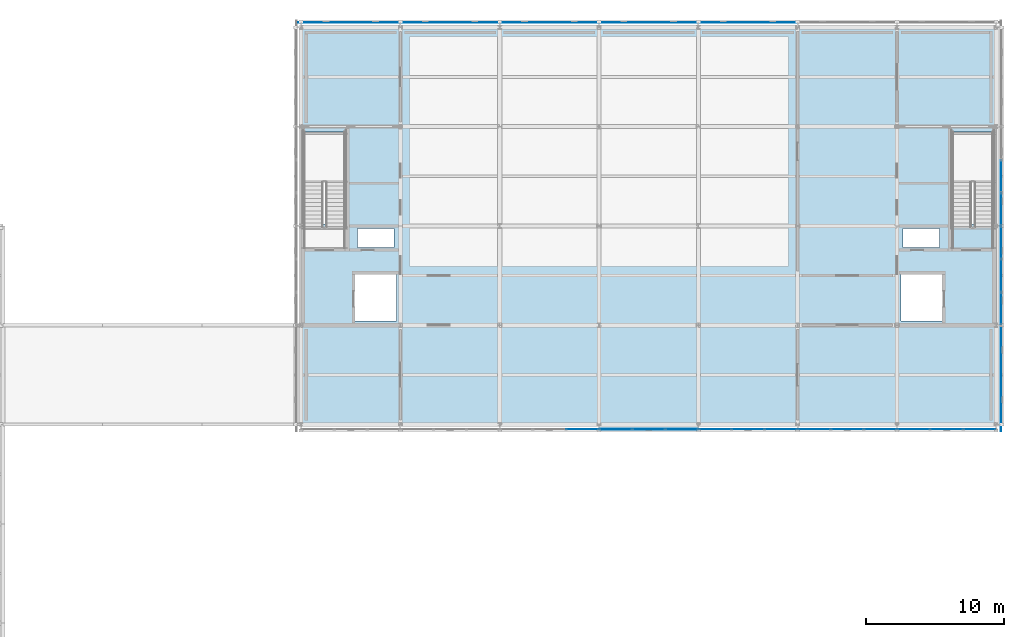
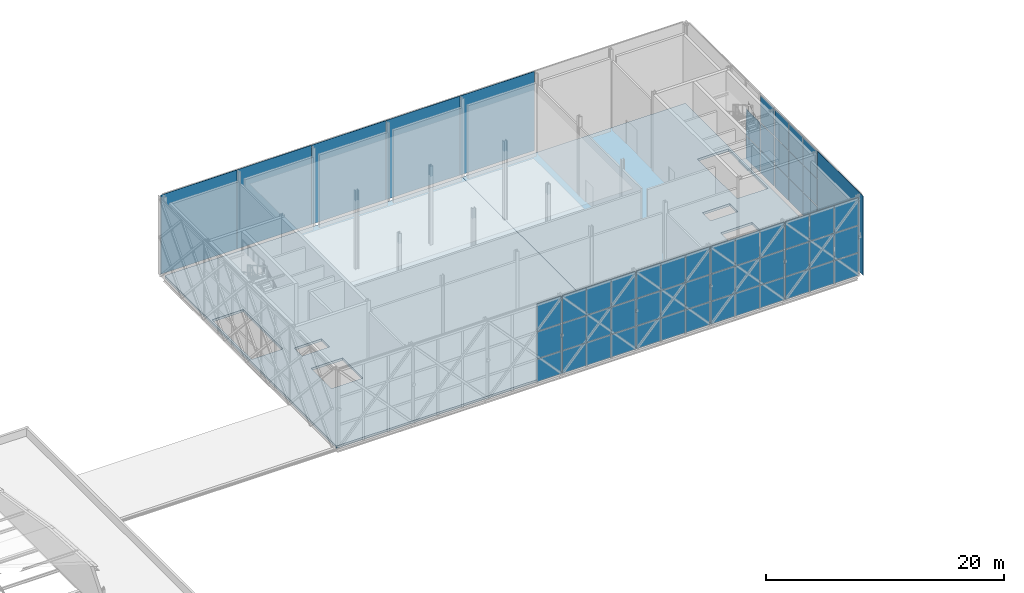
# One storey, part 57 of 76: 59 plates, 3 slabs, 8 elements without a shape of their own.
"""IFC4 building model written with IfcOpenShell, lengths in metres."""

import ifcopenshell
import ifcopenshell.guid

model = None  # the IFC model being written
_history = None  # IfcOwnerHistory: only IFC2X3 demands one
_inside = {}  # id of a spatial element -> (the spatial element, [elements in it])
_under = {}  # id of a project, library or spatial element -> (it, [spatial elements below it])
_declared = {}  # id of a project -> (the project, [libraries it declares])
_typed = {}  # id of a type object -> (the type object, [elements of that type])
_made_of = {}  # id of a material, layer set ... -> (it, [elements and type objects made of it])


def new_model(schema):
    """Start an empty IFC model of exactly this schema.

    Asked for "IFC4X3", IfcOpenShell would pick the latest addendum, in which some entities
    have other attributes; the version numbers below select the first issue.
    IFC2X3 requires an IfcOwnerHistory on every rooted entity: one is made here for all.
    """
    global model, _history
    if schema == "IFC4X3":
        model = ifcopenshell.file(schema_version=(4, 3, 0, 0))
    else:
        model = ifcopenshell.file(schema=schema)
    _inside.clear()
    _under.clear()
    _declared.clear()
    _typed.clear()
    _made_of.clear()
    _history = None
    if model.schema == "IFC2X3":
        org = make("IfcOrganization", Name="unknown")
        user = make(
            "IfcPersonAndOrganization",
            ThePerson=make("IfcPerson", FamilyName="unknown"),
            TheOrganization=org,
        )
        app = make(
            "IfcApplication",
            ApplicationDeveloper=org,
            Version="unknown",
            ApplicationFullName="unknown",
            ApplicationIdentifier="unknown",
        )
        _history = make(
            "IfcOwnerHistory",
            OwningUser=user,
            OwningApplication=app,
            ChangeAction="ADDED",
            CreationDate=0,
        )
    return model


def make(cls, **values):
    """One entity of the class cls with the attributes given. An attribute that is None is left unset."""
    return model.create_entity(
        cls, **{name: value for name, value in values.items() if value is not None}
    )


def rooted(cls, **values):
    """An entity with a GlobalId (a new one), such as an element, a storey or a relation."""
    return make(cls, GlobalId=ifcopenshell.guid.new(), OwnerHistory=_history, **values)


def si_unit(unit_type, name, prefix=None):
    """IfcSIUnit, for example si_unit("LENGTHUNIT", "METRE", prefix="MILLI")."""
    return make("IfcSIUnit", UnitType=unit_type, Prefix=prefix, Name=name)


def assignment(units):
    """IfcUnitAssignment: the units of a project."""
    return None if units is None else make("IfcUnitAssignment", Units=units)


def point(xyz):
    """IfcCartesianPoint."""
    return None if xyz is None else make("IfcCartesianPoint", Coordinates=xyz)


def direction(xyz):
    """IfcDirection."""
    return None if xyz is None else make("IfcDirection", DirectionRatios=xyz)


def frame(location, z_axis=None, x_axis=None):
    """IfcAxis2Placement3D, a coordinate frame: its origin and axes. An axis left out is left unset."""
    return make(
        "IfcAxis2Placement3D",
        Location=point(location),
        Axis=direction(z_axis),
        RefDirection=direction(x_axis),
    )


def frame_2d(location, x_axis=None):
    """IfcAxis2Placement2D, a coordinate frame in the plane: its origin and x axis."""
    return make(
        "IfcAxis2Placement2D", Location=point(location), RefDirection=direction(x_axis)
    )


def origin():
    """The frame at (0, 0, 0) with its axes left unset."""
    return frame((0.0, 0.0, 0.0))


def origin_2d():
    """The frame at (0, 0) in the plane with its x axis left unset."""
    return frame_2d((0.0, 0.0))


def place(relative_to, where):
    """IfcLocalPlacement: puts the frame where relative to a parent placement (None: the world)."""
    return make(
        "IfcLocalPlacement", PlacementRelTo=relative_to, RelativePlacement=where
    )


def context(
    kind, dimensions, precision=None, world=None, true_north=None, identifier=None
):
    """IfcGeometricRepresentationContext, for example the 3D "Model" context."""
    return make(
        "IfcGeometricRepresentationContext",
        ContextIdentifier=identifier,
        ContextType=kind,
        CoordinateSpaceDimension=dimensions,
        Precision=precision,
        WorldCoordinateSystem=world,
        TrueNorth=true_north,
    )


def subcontext(parent, identifier, kind, view, scale=None):
    """IfcGeometricRepresentationSubContext, for example "Body" below "Model"."""
    return make(
        "IfcGeometricRepresentationSubContext",
        ContextIdentifier=identifier,
        ContextType=kind,
        ParentContext=parent,
        TargetScale=scale,
        TargetView=view,
    )


def project(units=None, contexts=None):
    """IfcProject with its units and contexts."""
    return rooted(
        "IfcProject",
        Name="project",
        RepresentationContexts=contexts,
        UnitsInContext=assignment(units),
    )


def spatial(cls, under=None, at=None, **own):
    """A site, building, storey or space (cls), placed at a placement, below another one or the project."""
    s = rooted(cls, ObjectPlacement=at, **own)
    if under is not None:
        _under.setdefault(under.id(), (under, []))[1].append(s)
    return s


def polyline(points):
    """IfcPolyline through the points."""
    return make("IfcPolyline", Points=[point(p) for p in points])


def profile(cls, at=None, kind="AREA", **sizes):
    """A parametric profile (cls). Its sizes go by their IFC names, for example OverallWidth=200.0."""
    return make(cls, ProfileType=kind, Position=at, **sizes)


def rectangle(**sizes):
    """IfcRectangleProfileDef."""
    return profile("IfcRectangleProfileDef", **sizes)


def outline(outer, holes=None, kind="AREA"):
    """IfcArbitraryClosedProfileDef: a profile drawn as a closed curve; with holes, ...WithVoids."""
    if holes is None:
        return make("IfcArbitraryClosedProfileDef", ProfileType=kind, OuterCurve=outer)
    return make(
        "IfcArbitraryProfileDefWithVoids",
        ProfileType=kind,
        OuterCurve=outer,
        InnerCurves=holes,
    )


def extrude(swept, where, along, depth):
    """IfcExtrudedAreaSolid: the profile swept, set in the frame where, extruded along a direction by depth."""
    return make(
        "IfcExtrudedAreaSolid",
        SweptArea=swept,
        Position=where,
        ExtrudedDirection=direction(along),
        Depth=depth,
    )


def shape(context_of_items, identifier, shape_type, items):
    """IfcShapeRepresentation: the items that make up one representation, for example the "Body"."""
    return make(
        "IfcShapeRepresentation",
        ContextOfItems=context_of_items,
        RepresentationIdentifier=identifier,
        RepresentationType=shape_type,
        Items=items,
    )


def material(Name=None, Category=None):
    """IfcMaterial."""
    return make("IfcMaterial", Name=Name, Category=Category)


def layer(
    of_material, thickness, ventilated=None, Name=None, Category=None, Priority=None
):
    """IfcMaterialLayer: one layer of a wall or slab, of a material (None: an air gap)."""
    return make(
        "IfcMaterialLayer",
        Material=of_material,
        LayerThickness=thickness,
        IsVentilated=ventilated,
        Name=Name,
        Category=Category,
        Priority=Priority,
    )


def layer_set(layers, Name=None):
    """IfcMaterialLayerSet."""
    return make("IfcMaterialLayerSet", MaterialLayers=layers, LayerSetName=Name)


def made_of(thing, what):
    """Note that an element or type object is made of a material, layer set ...; save() writes the relation."""
    if what is not None:
        _made_of.setdefault(what.id(), (what, []))[1].append(thing)
    return thing


def type_object(cls, material=None, **own):
    """A type object (cls), such as IfcWallType, which elements share."""
    return made_of(rooted(cls, **own), material)


def element(
    cls,
    number,
    at=None,
    inside=None,
    cuts=None,
    type_object=None,
    material=None,
    context=None,
    identifier="Body",
    shape_type=None,
    held_by="IfcProductDefinitionShape",
    body=None,
    shapes=None,
    **own,
):
    """One element of the class cls, such as IfcWall. Its Tag is "e" and its number.

    at: its placement. inside: the storey or other place that contains it. cuts: it is an
    opening in that element (IfcRelVoidsElement). A single representation is given by context,
    identifier, shape_type and body (its items); several are given by shapes. held_by: the class
    of the entity that holds the representations. save() writes the other relations.
    """
    e = rooted(cls, Tag="e%d" % number, ObjectPlacement=at, **own)
    if body is not None:
        shapes = [shape(context, identifier, shape_type, body)]
    if shapes is not None:
        e.Representation = make(held_by, Representations=shapes)
    if inside is not None:
        _inside.setdefault(inside.id(), (inside, []))[1].append(e)
    if cuts is not None:
        rooted(
            "IfcRelVoidsElement", RelatingBuildingElement=cuts, RelatedOpeningElement=e
        )
    if type_object is not None:
        _typed.setdefault(type_object.id(), (type_object, []))[1].append(e)
    return made_of(e, material)


def aggregate(whole, parts):
    """IfcRelAggregates: a whole, such as a stair, and the parts it consists of."""
    return rooted("IfcRelAggregates", RelatingObject=whole, RelatedObjects=parts)


def save(model, path):
    """Write the relations noted so far, then the file.

    IfcRelAggregates (storeys below a building ...), IfcRelContainedInSpatialStructure (elements
    in a storey), IfcRelDefinesByType, IfcRelAssociatesMaterial and IfcRelDeclares: one each for
    every whole, place, type object, material and project.
    """
    for whole, parts in _under.values():
        aggregate(whole, parts)
    for where, things in _inside.values():
        rooted(
            "IfcRelContainedInSpatialStructure",
            RelatedElements=things,
            RelatingStructure=where,
        )
    for kind, things in _typed.values():
        rooted("IfcRelDefinesByType", RelatedObjects=things, RelatingType=kind)
    for what, things in _made_of.values():
        rooted("IfcRelAssociatesMaterial", RelatedObjects=things, RelatingMaterial=what)
    for by, libraries in _declared.values():
        rooted("IfcRelDeclares", RelatingContext=by, RelatedDefinitions=libraries)
    model.write(path)


model = new_model("IFC4")

# Units and contexts
model_context = context("Model", 3, precision=1e-05, world=origin(), true_north=direction((0.0, 1.0)))
body_context = subcontext(model_context, "Body", "Model", "MODEL_VIEW")
ifc_project = project(units=[si_unit("LENGTHUNIT", "METRE"), si_unit("AREAUNIT", "SQUARE_METRE"), si_unit("VOLUMEUNIT", "CUBIC_METRE"), si_unit("PLANEANGLEUNIT", "RADIAN"), si_unit("MASSUNIT", "GRAM", prefix="KILO")], contexts=[model_context])

# Site, building, storey
site_placement = place(None, origin())
site = spatial("IfcSite", under=ifc_project, at=site_placement, CompositionType="ELEMENT")
building_placement = place(site_placement, origin())
building = spatial("IfcBuilding", under=site, at=building_placement, Name="Zlatovets Crest Museum", CompositionType="ELEMENT")
storey_placement = place(building_placement, frame((0.0, 0.0, 17.10009765625)))
storey = spatial("IfcBuildingStorey", under=building, at=storey_placement, Name="L04", CompositionType="ELEMENT", Elevation=17.10009765625)

# Curtain wall, plates
ifc_material_1 = material(Name="Bronze-anodised aluminium and low-E triple glass", Category="aluminium")
curtain_wall_type_1 = type_object("IfcCurtainWallType", Name="CW_CW-V1-L04-M0", PredefinedType="NOTDEFINED", material=ifc_material_1)
curtain_wall_1_placement = place(storey_placement, origin())
curtain_wall_1 = element("IfcCurtainWall", 1, at=curtain_wall_1_placement, inside=storey, type_object=curtain_wall_type_1, Name="V1 L04 Secession Foyer Clear Curtain Wall", PredefinedType="NOTDEFINED")
ifc_material_2 = material(Name="Solar-control low-E laminated triple glass", Category="glass")
ifc_layer_1 = layer(ifc_material_2, 0.028076171875)
ifc_layer_set_1 = layer_set([ifc_layer_1], Name="Solar-control low-E laminated triple glass")
plate_type_1 = type_object("IfcPlateType", Name="CWPanel_CW-V1-L04-M0", PredefinedType="CURTAIN_PANEL", material=ifc_layer_set_1)
plate_1_placement = place(storey_placement, frame((87.614990234375, 86.06005859375, 0.059814453125), z_axis=(0.0, 0.0, 1.0), x_axis=(1.0, 0.0, 0.0)))
plate_1 = element("IfcPlate", 2, at=plate_1_placement, type_object=plate_type_1, Name="CW-V1-L04-M0 panel 1.1", PredefinedType="CURTAIN_PANEL", context=body_context, shape_type="SweptSolid", body=[
    extrude(rectangle(XDim=2.31005859375, YDim=0.028076171875, at=origin_2d()), origin(), (0.0, 0.0, 1.0), 2.31005859375),
])
plate_2_placement = place(storey_placement, frame((87.614990234375, 86.06005859375, 2.4296875), z_axis=(0.0, 0.0, 1.0), x_axis=(1.0, 0.0, 0.0)))
plate_2 = element("IfcPlate", 3, at=plate_2_placement, type_object=plate_type_1, Name="CW-V1-L04-M0 panel 1.2", PredefinedType="CURTAIN_PANEL", context=body_context, shape_type="SweptSolid", body=[
    extrude(rectangle(XDim=2.31005859375, YDim=0.028076171875, at=origin_2d()), origin(), (0.0, 0.0, 1.0), 2.739990234375),
])
plate_3_placement = place(storey_placement, frame((87.614990234375, 86.06005859375, 5.22998046875), z_axis=(0.0, 0.0, 1.0), x_axis=(1.0, 0.0, 0.0)))
plate_3 = element("IfcPlate", 4, at=plate_3_placement, type_object=plate_type_1, Name="CW-V1-L04-M0 panel 1.3", PredefinedType="CURTAIN_PANEL", context=body_context, shape_type="SweptSolid", body=[
    extrude(rectangle(XDim=2.31005859375, YDim=0.028076171875, at=origin_2d()), origin(), (0.0, 0.0, 1.0), 2.81005859375),
])
plate_4_placement = place(storey_placement, frame((90.0, 86.06005859375, 0.059814453125), z_axis=(0.0, 0.0, 1.0), x_axis=(1.0, 0.0, 0.0)))
plate_4 = element("IfcPlate", 5, at=plate_4_placement, type_object=plate_type_1, Name="CW-V1-L04-M0 panel 2.1", PredefinedType="CURTAIN_PANEL", context=body_context, shape_type="SweptSolid", body=[
    extrude(rectangle(XDim=2.340087890625, YDim=0.028076171875, at=origin_2d()), origin(), (0.0, 0.0, 1.0), 2.31005859375),
])
plate_5_placement = place(storey_placement, frame((90.0, 86.06005859375, 2.4296875), z_axis=(0.0, 0.0, 1.0), x_axis=(1.0, 0.0, 0.0)))
plate_5 = element("IfcPlate", 6, at=plate_5_placement, type_object=plate_type_1, Name="CW-V1-L04-M0 panel 2.2", PredefinedType="CURTAIN_PANEL", context=body_context, shape_type="SweptSolid", body=[
    extrude(rectangle(XDim=2.340087890625, YDim=0.028076171875, at=origin_2d()), origin(), (0.0, 0.0, 1.0), 2.739990234375),
])
plate_6_placement = place(storey_placement, frame((90.0, 86.06005859375, 5.22998046875), z_axis=(0.0, 0.0, 1.0), x_axis=(1.0, 0.0, 0.0)))
plate_6 = element("IfcPlate", 7, at=plate_6_placement, type_object=plate_type_1, Name="CW-V1-L04-M0 panel 2.3", PredefinedType="CURTAIN_PANEL", context=body_context, shape_type="SweptSolid", body=[
    extrude(rectangle(XDim=2.340087890625, YDim=0.028076171875, at=origin_2d()), origin(), (0.0, 0.0, 1.0), 2.81005859375),
])
plate_7_placement = place(storey_placement, frame((92.385009765625, 86.06005859375, 0.059814453125), z_axis=(0.0, 0.0, 1.0), x_axis=(1.0, 0.0, 0.0)))
plate_7 = element("IfcPlate", 8, at=plate_7_placement, type_object=plate_type_1, Name="CW-V1-L04-M0 panel 3.1", PredefinedType="CURTAIN_PANEL", context=body_context, shape_type="SweptSolid", body=[
    extrude(rectangle(XDim=2.31005859375, YDim=0.028076171875, at=origin_2d()), origin(), (0.0, 0.0, 1.0), 2.31005859375),
])
plate_8_placement = place(storey_placement, frame((92.385009765625, 86.06005859375, 2.4296875), z_axis=(0.0, 0.0, 1.0), x_axis=(1.0, 0.0, 0.0)))
plate_8 = element("IfcPlate", 9, at=plate_8_placement, type_object=plate_type_1, Name="CW-V1-L04-M0 panel 3.2", PredefinedType="CURTAIN_PANEL", context=body_context, shape_type="SweptSolid", body=[
    extrude(rectangle(XDim=2.31005859375, YDim=0.028076171875, at=origin_2d()), origin(), (0.0, 0.0, 1.0), 2.739990234375),
])
plate_9_placement = place(storey_placement, frame((92.385009765625, 86.06005859375, 5.22998046875), z_axis=(0.0, 0.0, 1.0), x_axis=(1.0, 0.0, 0.0)))
plate_9 = element("IfcPlate", 10, at=plate_9_placement, type_object=plate_type_1, Name="CW-V1-L04-M0 panel 3.3", PredefinedType="CURTAIN_PANEL", context=body_context, shape_type="SweptSolid", body=[
    extrude(rectangle(XDim=2.31005859375, YDim=0.028076171875, at=origin_2d()), origin(), (0.0, 0.0, 1.0), 2.81005859375),
])
aggregate(curtain_wall_1, [plate_1, plate_2, plate_3, plate_4, plate_5, plate_6, plate_7, plate_8, plate_9])

curtain_wall_2_placement = place(storey_placement, origin())
curtain_wall_2 = element("IfcCurtainWall", 11, at=curtain_wall_2_placement, inside=storey, type_object=curtain_wall_type_1, Name="V1 L04 Expressed Core Glazed Facade", PredefinedType="NOTDEFINED")
plate_10_placement = place(storey_placement, frame((108.340087890625, 94.81494140625, 0.059814453125), z_axis=(0.0, 0.0, 1.0), x_axis=(0.0, 1.0, 0.0)))
plate_10 = element("IfcPlate", 12, at=plate_10_placement, type_object=plate_type_1, Name="CW-V1-L04-M0 panel 1.1", PredefinedType="CURTAIN_PANEL", context=body_context, shape_type="SweptSolid", body=[
    extrude(rectangle(XDim=2.31005859375, YDim=0.030029296875, at=origin_2d()), origin(), (0.0, 0.0, 1.0), 2.31005859375),
])
plate_11_placement = place(storey_placement, frame((108.340087890625, 94.81494140625, 2.4296875), z_axis=(0.0, 0.0, 1.0), x_axis=(0.0, 1.0, 0.0)))
plate_11 = element("IfcPlate", 13, at=plate_11_placement, type_object=plate_type_1, Name="CW-V1-L04-M0 panel 1.2", PredefinedType="CURTAIN_PANEL", context=body_context, shape_type="SweptSolid", body=[
    extrude(rectangle(XDim=2.31005859375, YDim=0.030029296875, at=origin_2d()), origin(), (0.0, 0.0, 1.0), 2.739990234375),
])
plate_12_placement = place(storey_placement, frame((108.340087890625, 94.81494140625, 5.22998046875), z_axis=(0.0, 0.0, 1.0), x_axis=(0.0, 1.0, 0.0)))
plate_12 = element("IfcPlate", 14, at=plate_12_placement, type_object=plate_type_1, Name="CW-V1-L04-M0 panel 1.3", PredefinedType="CURTAIN_PANEL", context=body_context, shape_type="SweptSolid", body=[
    extrude(rectangle(XDim=2.31005859375, YDim=0.030029296875, at=origin_2d()), origin(), (0.0, 0.0, 1.0), 2.81005859375),
])
plate_13_placement = place(storey_placement, frame((108.340087890625, 97.199951171875, 0.059814453125), z_axis=(0.0, 0.0, 1.0), x_axis=(0.0, 1.0, 0.0)))
plate_13 = element("IfcPlate", 15, at=plate_13_placement, type_object=plate_type_1, Name="CW-V1-L04-M0 panel 2.1", PredefinedType="CURTAIN_PANEL", context=body_context, shape_type="SweptSolid", body=[
    extrude(rectangle(XDim=2.340087890625, YDim=0.030029296875, at=origin_2d()), origin(), (0.0, 0.0, 1.0), 2.31005859375),
])
plate_14_placement = place(storey_placement, frame((108.340087890625, 97.199951171875, 2.4296875), z_axis=(0.0, 0.0, 1.0), x_axis=(0.0, 1.0, 0.0)))
plate_14 = element("IfcPlate", 16, at=plate_14_placement, type_object=plate_type_1, Name="CW-V1-L04-M0 panel 2.2", PredefinedType="CURTAIN_PANEL", context=body_context, shape_type="SweptSolid", body=[
    extrude(rectangle(XDim=2.340087890625, YDim=0.030029296875, at=origin_2d()), origin(), (0.0, 0.0, 1.0), 2.739990234375),
])
plate_15_placement = place(storey_placement, frame((108.340087890625, 97.199951171875, 5.22998046875), z_axis=(0.0, 0.0, 1.0), x_axis=(0.0, 1.0, 0.0)))
plate_15 = element("IfcPlate", 17, at=plate_15_placement, type_object=plate_type_1, Name="CW-V1-L04-M0 panel 2.3", PredefinedType="CURTAIN_PANEL", context=body_context, shape_type="SweptSolid", body=[
    extrude(rectangle(XDim=2.340087890625, YDim=0.030029296875, at=origin_2d()), origin(), (0.0, 0.0, 1.0), 2.81005859375),
])
plate_16_placement = place(storey_placement, frame((108.340087890625, 99.5849609375, 0.059814453125), z_axis=(0.0, 0.0, 1.0), x_axis=(0.0, 1.0, 0.0)))
plate_16 = element("IfcPlate", 18, at=plate_16_placement, type_object=plate_type_1, Name="CW-V1-L04-M0 panel 3.1", PredefinedType="CURTAIN_PANEL", context=body_context, shape_type="SweptSolid", body=[
    extrude(rectangle(XDim=2.31005859375, YDim=0.030029296875, at=origin_2d()), origin(), (0.0, 0.0, 1.0), 2.31005859375),
])
plate_17_placement = place(storey_placement, frame((108.340087890625, 99.5849609375, 2.4296875), z_axis=(0.0, 0.0, 1.0), x_axis=(0.0, 1.0, 0.0)))
plate_17 = element("IfcPlate", 19, at=plate_17_placement, type_object=plate_type_1, Name="CW-V1-L04-M0 panel 3.2", PredefinedType="CURTAIN_PANEL", context=body_context, shape_type="SweptSolid", body=[
    extrude(rectangle(XDim=2.31005859375, YDim=0.030029296875, at=origin_2d()), origin(), (0.0, 0.0, 1.0), 2.739990234375),
])
plate_18_placement = place(storey_placement, frame((108.340087890625, 99.5849609375, 5.22998046875), z_axis=(0.0, 0.0, 1.0), x_axis=(0.0, 1.0, 0.0)))
plate_18 = element("IfcPlate", 20, at=plate_18_placement, type_object=plate_type_1, Name="CW-V1-L04-M0 panel 3.3", PredefinedType="CURTAIN_PANEL", context=body_context, shape_type="SweptSolid", body=[
    extrude(rectangle(XDim=2.31005859375, YDim=0.030029296875, at=origin_2d()), origin(), (0.0, 0.0, 1.0), 2.81005859375),
])
aggregate(curtain_wall_2, [plate_10, plate_11, plate_12, plate_13, plate_14, plate_15, plate_16, plate_17, plate_18])

curtain_wall_type_2 = type_object("IfcCurtainWallType", Name="CW_CW-V1-L04-M1", PredefinedType="NOTDEFINED", material=ifc_material_1)
curtain_wall_3_placement = place(storey_placement, origin())
curtain_wall_3 = element("IfcCurtainWall", 21, at=curtain_wall_3_placement, inside=storey, type_object=curtain_wall_type_2, Name="V1 L04 Secession Foyer Clear Curtain Wall", PredefinedType="NOTDEFINED")
ifc_layer_2 = layer(ifc_material_2, 0.031982421875)
ifc_layer_set_2 = layer_set([ifc_layer_2], Name="Solar-control low-E laminated triple glass")
plate_type_2 = type_object("IfcPlateType", Name="CWPanel_CW-V1-L04-M1", PredefinedType="CURTAIN_PANEL", material=ifc_layer_set_2)
plate_19_placement = place(storey_placement, frame((94.81494140625, 86.06005859375, 0.059814453125), z_axis=(0.0, 0.0, 1.0), x_axis=(1.0, 0.0, 0.0)))
plate_19 = element("IfcPlate", 22, at=plate_19_placement, type_object=plate_type_2, Name="CW-V1-L04-M1 panel 1.1", PredefinedType="CURTAIN_PANEL", context=body_context, shape_type="SweptSolid", body=[
    extrude(rectangle(XDim=2.31005859375, YDim=0.031982421875, at=origin_2d()), origin(), (0.0, 0.0, 1.0), 2.31005859375),
])
plate_20_placement = place(storey_placement, frame((94.81494140625, 86.06005859375, 2.4296875), z_axis=(0.0, 0.0, 1.0), x_axis=(1.0, 0.0, 0.0)))
plate_20 = element("IfcPlate", 23, at=plate_20_placement, type_object=plate_type_2, Name="CW-V1-L04-M1 panel 1.2", PredefinedType="CURTAIN_PANEL", context=body_context, shape_type="SweptSolid", body=[
    extrude(rectangle(XDim=2.31005859375, YDim=0.031982421875, at=origin_2d()), origin(), (0.0, 0.0, 1.0), 2.739990234375),
])
plate_21_placement = place(storey_placement, frame((94.81494140625, 86.06005859375, 5.22998046875), z_axis=(0.0, 0.0, 1.0), x_axis=(1.0, 0.0, 0.0)))
plate_21 = element("IfcPlate", 24, at=plate_21_placement, type_object=plate_type_2, Name="CW-V1-L04-M1 panel 1.3", PredefinedType="CURTAIN_PANEL", context=body_context, shape_type="SweptSolid", body=[
    extrude(rectangle(XDim=2.31005859375, YDim=0.031982421875, at=origin_2d()), origin(), (0.0, 0.0, 1.0), 2.81005859375),
])
plate_22_placement = place(storey_placement, frame((97.199951171875, 86.06005859375, 0.059814453125), z_axis=(0.0, 0.0, 1.0), x_axis=(1.0, 0.0, 0.0)))
plate_22 = element("IfcPlate", 25, at=plate_22_placement, type_object=plate_type_2, Name="CW-V1-L04-M1 panel 2.1", PredefinedType="CURTAIN_PANEL", context=body_context, shape_type="SweptSolid", body=[
    extrude(rectangle(XDim=2.340087890625, YDim=0.031982421875, at=origin_2d()), origin(), (0.0, 0.0, 1.0), 2.31005859375),
])
plate_23_placement = place(storey_placement, frame((97.199951171875, 86.06005859375, 2.4296875), z_axis=(0.0, 0.0, 1.0), x_axis=(1.0, 0.0, 0.0)))
plate_23 = element("IfcPlate", 26, at=plate_23_placement, type_object=plate_type_2, Name="CW-V1-L04-M1 panel 2.2", PredefinedType="CURTAIN_PANEL", context=body_context, shape_type="SweptSolid", body=[
    extrude(rectangle(XDim=2.340087890625, YDim=0.031982421875, at=origin_2d()), origin(), (0.0, 0.0, 1.0), 2.739990234375),
])
plate_24_placement = place(storey_placement, frame((97.199951171875, 86.06005859375, 5.22998046875), z_axis=(0.0, 0.0, 1.0), x_axis=(1.0, 0.0, 0.0)))
plate_24 = element("IfcPlate", 27, at=plate_24_placement, type_object=plate_type_2, Name="CW-V1-L04-M1 panel 2.3", PredefinedType="CURTAIN_PANEL", context=body_context, shape_type="SweptSolid", body=[
    extrude(rectangle(XDim=2.340087890625, YDim=0.031982421875, at=origin_2d()), origin(), (0.0, 0.0, 1.0), 2.81005859375),
])
plate_25_placement = place(storey_placement, frame((99.5849609375, 86.06005859375, 0.059814453125), z_axis=(0.0, 0.0, 1.0), x_axis=(1.0, 0.0, 0.0)))
plate_25 = element("IfcPlate", 28, at=plate_25_placement, type_object=plate_type_2, Name="CW-V1-L04-M1 panel 3.1", PredefinedType="CURTAIN_PANEL", context=body_context, shape_type="SweptSolid", body=[
    extrude(rectangle(XDim=2.31005859375, YDim=0.031982421875, at=origin_2d()), origin(), (0.0, 0.0, 1.0), 2.31005859375),
])
plate_26_placement = place(storey_placement, frame((99.5849609375, 86.06005859375, 2.4296875), z_axis=(0.0, 0.0, 1.0), x_axis=(1.0, 0.0, 0.0)))
plate_26 = element("IfcPlate", 29, at=plate_26_placement, type_object=plate_type_2, Name="CW-V1-L04-M1 panel 3.2", PredefinedType="CURTAIN_PANEL", context=body_context, shape_type="SweptSolid", body=[
    extrude(rectangle(XDim=2.31005859375, YDim=0.031982421875, at=origin_2d()), origin(), (0.0, 0.0, 1.0), 2.739990234375),
])
plate_27_placement = place(storey_placement, frame((99.5849609375, 86.06005859375, 5.22998046875), z_axis=(0.0, 0.0, 1.0), x_axis=(1.0, 0.0, 0.0)))
plate_27 = element("IfcPlate", 30, at=plate_27_placement, type_object=plate_type_2, Name="CW-V1-L04-M1 panel 3.3", PredefinedType="CURTAIN_PANEL", context=body_context, shape_type="SweptSolid", body=[
    extrude(rectangle(XDim=2.31005859375, YDim=0.031982421875, at=origin_2d()), origin(), (0.0, 0.0, 1.0), 2.81005859375),
])
aggregate(curtain_wall_3, [plate_19, plate_20, plate_21, plate_22, plate_23, plate_24, plate_25, plate_26, plate_27])

curtain_wall_4_placement = place(storey_placement, origin())
curtain_wall_4 = element("IfcCurtainWall", 31, at=curtain_wall_4_placement, inside=storey, type_object=curtain_wall_type_2, Name="V1 L04 Expressed Core Glazed Facade", PredefinedType="NOTDEFINED")
plate_28_placement = place(storey_placement, frame((108.340087890625, 102.014892578125, 0.059814453125), z_axis=(0.0, 0.0, 1.0), x_axis=(0.0, 1.0, 0.0)))
plate_28 = element("IfcPlate", 32, at=plate_28_placement, type_object=plate_type_2, Name="CW-V1-L04-M1 panel 1.1", PredefinedType="CURTAIN_PANEL", context=body_context, shape_type="SweptSolid", body=[
    extrude(rectangle(XDim=2.31005859375, YDim=0.030029296875, at=origin_2d()), origin(), (0.0, 0.0, 1.0), 2.31005859375),
])
plate_29_placement = place(storey_placement, frame((108.340087890625, 102.014892578125, 2.4296875), z_axis=(0.0, 0.0, 1.0), x_axis=(0.0, 1.0, 0.0)))
plate_29 = element("IfcPlate", 33, at=plate_29_placement, type_object=plate_type_2, Name="CW-V1-L04-M1 panel 1.2", PredefinedType="CURTAIN_PANEL", context=body_context, shape_type="SweptSolid", body=[
    extrude(rectangle(XDim=2.31005859375, YDim=0.030029296875, at=origin_2d()), origin(), (0.0, 0.0, 1.0), 2.739990234375),
])
plate_30_placement = place(storey_placement, frame((108.340087890625, 102.014892578125, 5.22998046875), z_axis=(0.0, 0.0, 1.0), x_axis=(0.0, 1.0, 0.0)))
plate_30 = element("IfcPlate", 34, at=plate_30_placement, type_object=plate_type_2, Name="CW-V1-L04-M1 panel 1.3", PredefinedType="CURTAIN_PANEL", context=body_context, shape_type="SweptSolid", body=[
    extrude(rectangle(XDim=2.31005859375, YDim=0.030029296875, at=origin_2d()), origin(), (0.0, 0.0, 1.0), 2.81005859375),
])
plate_31_placement = place(storey_placement, frame((108.340087890625, 104.39990234375, 0.059814453125), z_axis=(0.0, 0.0, 1.0), x_axis=(0.0, 1.0, 0.0)))
plate_31 = element("IfcPlate", 35, at=plate_31_placement, type_object=plate_type_2, Name="CW-V1-L04-M1 panel 2.1", PredefinedType="CURTAIN_PANEL", context=body_context, shape_type="SweptSolid", body=[
    extrude(rectangle(XDim=2.340087890625, YDim=0.030029296875, at=origin_2d()), origin(), (0.0, 0.0, 1.0), 2.31005859375),
])
plate_32_placement = place(storey_placement, frame((108.340087890625, 104.39990234375, 2.4296875), z_axis=(0.0, 0.0, 1.0), x_axis=(0.0, 1.0, 0.0)))
plate_32 = element("IfcPlate", 36, at=plate_32_placement, type_object=plate_type_2, Name="CW-V1-L04-M1 panel 2.2", PredefinedType="CURTAIN_PANEL", context=body_context, shape_type="SweptSolid", body=[
    extrude(rectangle(XDim=2.340087890625, YDim=0.030029296875, at=origin_2d()), origin(), (0.0, 0.0, 1.0), 2.739990234375),
])
aggregate(curtain_wall_4, [plate_28, plate_29, plate_30, plate_31, plate_32])

curtain_wall_type_3 = type_object("IfcCurtainWallType", Name="CW_CW-V1-L04-M2", PredefinedType="NOTDEFINED", material=ifc_material_1)
curtain_wall_5_placement = place(storey_placement, origin())
curtain_wall_5 = element("IfcCurtainWall", 37, at=curtain_wall_5_placement, inside=storey, type_object=curtain_wall_type_3, Name="V1 L04 Secession Foyer Clear Curtain Wall", PredefinedType="NOTDEFINED")
ifc_layer_3 = layer(ifc_material_2, 0.035888671875)
ifc_layer_set_3 = layer_set([ifc_layer_3], Name="Solar-control low-E laminated triple glass")
plate_type_3 = type_object("IfcPlateType", Name="CWPanel_CW-V1-L04-M2", PredefinedType="CURTAIN_PANEL", material=ifc_layer_set_3)
plate_33_placement = place(storey_placement, frame((77.985107421875, 86.06005859375, 0.059814453125), z_axis=(0.0, 0.0, 1.0), x_axis=(1.0, 0.0, 0.0)))
plate_33 = element("IfcPlate", 38, at=plate_33_placement, type_object=plate_type_3, Name="CW-V1-L04-M2 panel 3.1", PredefinedType="CURTAIN_PANEL", context=body_context, shape_type="SweptSolid", body=[
    extrude(rectangle(XDim=2.31005859375, YDim=0.035888671875, at=origin_2d()), origin(), (0.0, 0.0, 1.0), 2.31005859375),
])
plate_34_placement = place(storey_placement, frame((77.985107421875, 86.06005859375, 2.4296875), z_axis=(0.0, 0.0, 1.0), x_axis=(1.0, 0.0, 0.0)))
plate_34 = element("IfcPlate", 39, at=plate_34_placement, type_object=plate_type_3, Name="CW-V1-L04-M2 panel 3.2", PredefinedType="CURTAIN_PANEL", context=body_context, shape_type="SweptSolid", body=[
    extrude(rectangle(XDim=2.31005859375, YDim=0.035888671875, at=origin_2d()), origin(), (0.0, 0.0, 1.0), 2.739990234375),
])
plate_35_placement = place(storey_placement, frame((77.985107421875, 86.06005859375, 5.22998046875), z_axis=(0.0, 0.0, 1.0), x_axis=(1.0, 0.0, 0.0)))
plate_35 = element("IfcPlate", 40, at=plate_35_placement, type_object=plate_type_3, Name="CW-V1-L04-M2 panel 3.3", PredefinedType="CURTAIN_PANEL", context=body_context, shape_type="SweptSolid", body=[
    extrude(rectangle(XDim=2.31005859375, YDim=0.035888671875, at=origin_2d()), origin(), (0.0, 0.0, 1.0), 2.81005859375),
])
aggregate(curtain_wall_5, [plate_33, plate_34, plate_35])

curtain_wall_6_placement = place(storey_placement, origin())
curtain_wall_6 = element("IfcCurtainWall", 41, at=curtain_wall_6_placement, inside=storey, type_object=curtain_wall_type_3, Name="V1 L04 Secession Foyer Clear Curtain Wall", PredefinedType="NOTDEFINED")
plate_36_placement = place(storey_placement, frame((102.014892578125, 86.06005859375, 0.059814453125), z_axis=(0.0, 0.0, 1.0), x_axis=(1.0, 0.0, 0.0)))
plate_36 = element("IfcPlate", 42, at=plate_36_placement, type_object=plate_type_3, Name="CW-V1-L04-M2 panel 1.1", PredefinedType="CURTAIN_PANEL", context=body_context, shape_type="SweptSolid", body=[
    extrude(rectangle(XDim=2.31005859375, YDim=0.035888671875, at=origin_2d()), origin(), (0.0, 0.0, 1.0), 2.31005859375),
])
plate_37_placement = place(storey_placement, frame((102.014892578125, 86.06005859375, 2.4296875), z_axis=(0.0, 0.0, 1.0), x_axis=(1.0, 0.0, 0.0)))
plate_37 = element("IfcPlate", 43, at=plate_37_placement, type_object=plate_type_3, Name="CW-V1-L04-M2 panel 1.2", PredefinedType="CURTAIN_PANEL", context=body_context, shape_type="SweptSolid", body=[
    extrude(rectangle(XDim=2.31005859375, YDim=0.035888671875, at=origin_2d()), origin(), (0.0, 0.0, 1.0), 2.739990234375),
])
plate_38_placement = place(storey_placement, frame((102.014892578125, 86.06005859375, 5.22998046875), z_axis=(0.0, 0.0, 1.0), x_axis=(1.0, 0.0, 0.0)))
plate_38 = element("IfcPlate", 44, at=plate_38_placement, type_object=plate_type_3, Name="CW-V1-L04-M2 panel 1.3", PredefinedType="CURTAIN_PANEL", context=body_context, shape_type="SweptSolid", body=[
    extrude(rectangle(XDim=2.31005859375, YDim=0.035888671875, at=origin_2d()), origin(), (0.0, 0.0, 1.0), 2.81005859375),
])
plate_39_placement = place(storey_placement, frame((104.39990234375, 86.06005859375, 0.059814453125), z_axis=(0.0, 0.0, 1.0), x_axis=(1.0, 0.0, 0.0)))
plate_39 = element("IfcPlate", 45, at=plate_39_placement, type_object=plate_type_3, Name="CW-V1-L04-M2 panel 2.1", PredefinedType="CURTAIN_PANEL", context=body_context, shape_type="SweptSolid", body=[
    extrude(rectangle(XDim=2.340087890625, YDim=0.035888671875, at=origin_2d()), origin(), (0.0, 0.0, 1.0), 2.31005859375),
])
plate_40_placement = place(storey_placement, frame((104.39990234375, 86.06005859375, 2.4296875), z_axis=(0.0, 0.0, 1.0), x_axis=(1.0, 0.0, 0.0)))
plate_40 = element("IfcPlate", 46, at=plate_40_placement, type_object=plate_type_3, Name="CW-V1-L04-M2 panel 2.2", PredefinedType="CURTAIN_PANEL", context=body_context, shape_type="SweptSolid", body=[
    extrude(rectangle(XDim=2.340087890625, YDim=0.035888671875, at=origin_2d()), origin(), (0.0, 0.0, 1.0), 2.739990234375),
])
plate_41_placement = place(storey_placement, frame((104.39990234375, 86.06005859375, 5.22998046875), z_axis=(0.0, 0.0, 1.0), x_axis=(1.0, 0.0, 0.0)))
plate_41 = element("IfcPlate", 47, at=plate_41_placement, type_object=plate_type_3, Name="CW-V1-L04-M2 panel 2.3", PredefinedType="CURTAIN_PANEL", context=body_context, shape_type="SweptSolid", body=[
    extrude(rectangle(XDim=2.340087890625, YDim=0.035888671875, at=origin_2d()), origin(), (0.0, 0.0, 1.0), 2.81005859375),
])
plate_42_placement = place(storey_placement, frame((106.784912109375, 86.06005859375, 0.059814453125), z_axis=(0.0, 0.0, 1.0), x_axis=(1.0, 0.0, 0.0)))
plate_42 = element("IfcPlate", 48, at=plate_42_placement, type_object=plate_type_3, Name="CW-V1-L04-M2 panel 3.1", PredefinedType="CURTAIN_PANEL", context=body_context, shape_type="SweptSolid", body=[
    extrude(rectangle(XDim=2.31005859375, YDim=0.035888671875, at=origin_2d()), origin(), (0.0, 0.0, 1.0), 2.31005859375),
])
plate_43_placement = place(storey_placement, frame((106.784912109375, 86.06005859375, 2.4296875), z_axis=(0.0, 0.0, 1.0), x_axis=(1.0, 0.0, 0.0)))
plate_43 = element("IfcPlate", 49, at=plate_43_placement, type_object=plate_type_3, Name="CW-V1-L04-M2 panel 3.2", PredefinedType="CURTAIN_PANEL", context=body_context, shape_type="SweptSolid", body=[
    extrude(rectangle(XDim=2.31005859375, YDim=0.035888671875, at=origin_2d()), origin(), (0.0, 0.0, 1.0), 2.739990234375),
])
plate_44_placement = place(storey_placement, frame((106.784912109375, 86.06005859375, 5.22998046875), z_axis=(0.0, 0.0, 1.0), x_axis=(1.0, 0.0, 0.0)))
plate_44 = element("IfcPlate", 50, at=plate_44_placement, type_object=plate_type_3, Name="CW-V1-L04-M2 panel 3.3", PredefinedType="CURTAIN_PANEL", context=body_context, shape_type="SweptSolid", body=[
    extrude(rectangle(XDim=2.31005859375, YDim=0.035888671875, at=origin_2d()), origin(), (0.0, 0.0, 1.0), 2.81005859375),
])
aggregate(curtain_wall_6, [plate_36, plate_37, plate_38, plate_39, plate_40, plate_41, plate_42, plate_43, plate_44])

curtain_wall_type_4 = type_object("IfcCurtainWallType", Name="CW_CW-V1-L04-M3", PredefinedType="NOTDEFINED", material=ifc_material_1)
curtain_wall_7_placement = place(storey_placement, origin())
curtain_wall_7 = element("IfcCurtainWall", 51, at=curtain_wall_7_placement, inside=storey, type_object=curtain_wall_type_4, Name="V1 L04 Secession Foyer Clear Curtain Wall", PredefinedType="NOTDEFINED")
ifc_layer_4 = layer(ifc_material_2, 0.0400390625)
ifc_layer_set_4 = layer_set([ifc_layer_4], Name="Solar-control low-E laminated triple glass")
plate_type_4 = type_object("IfcPlateType", Name="CWPanel_CW-V1-L04-M3", PredefinedType="CURTAIN_PANEL", material=ifc_layer_set_4)
plate_45_placement = place(storey_placement, frame((80.4150390625, 86.06005859375, 0.059814453125), z_axis=(0.0, 0.0, 1.0), x_axis=(1.0, 0.0, 0.0)))
plate_45 = element("IfcPlate", 52, at=plate_45_placement, type_object=plate_type_4, Name="CW-V1-L04-M3 panel 1.1", PredefinedType="CURTAIN_PANEL", context=body_context, shape_type="SweptSolid", body=[
    extrude(rectangle(XDim=2.31005859375, YDim=0.0400390625, at=origin_2d()), origin(), (0.0, 0.0, 1.0), 2.31005859375),
])
plate_46_placement = place(storey_placement, frame((80.4150390625, 86.06005859375, 2.4296875), z_axis=(0.0, 0.0, 1.0), x_axis=(1.0, 0.0, 0.0)))
plate_46 = element("IfcPlate", 53, at=plate_46_placement, type_object=plate_type_4, Name="CW-V1-L04-M3 panel 1.2", PredefinedType="CURTAIN_PANEL", context=body_context, shape_type="SweptSolid", body=[
    extrude(rectangle(XDim=2.31005859375, YDim=0.0400390625, at=origin_2d()), origin(), (0.0, 0.0, 1.0), 2.739990234375),
])
plate_47_placement = place(storey_placement, frame((80.4150390625, 86.06005859375, 5.22998046875), z_axis=(0.0, 0.0, 1.0), x_axis=(1.0, 0.0, 0.0)))
plate_47 = element("IfcPlate", 54, at=plate_47_placement, type_object=plate_type_4, Name="CW-V1-L04-M3 panel 1.3", PredefinedType="CURTAIN_PANEL", context=body_context, shape_type="SweptSolid", body=[
    extrude(rectangle(XDim=2.31005859375, YDim=0.0400390625, at=origin_2d()), origin(), (0.0, 0.0, 1.0), 2.81005859375),
])
plate_48_placement = place(storey_placement, frame((82.800048828125, 86.06005859375, 0.059814453125), z_axis=(0.0, 0.0, 1.0), x_axis=(1.0, 0.0, 0.0)))
plate_48 = element("IfcPlate", 55, at=plate_48_placement, type_object=plate_type_4, Name="CW-V1-L04-M3 panel 2.1", PredefinedType="CURTAIN_PANEL", context=body_context, shape_type="SweptSolid", body=[
    extrude(rectangle(XDim=2.340087890625, YDim=0.0400390625, at=origin_2d()), origin(), (0.0, 0.0, 1.0), 2.31005859375),
])
plate_49_placement = place(storey_placement, frame((82.800048828125, 86.06005859375, 2.4296875), z_axis=(0.0, 0.0, 1.0), x_axis=(1.0, 0.0, 0.0)))
plate_49 = element("IfcPlate", 56, at=plate_49_placement, type_object=plate_type_4, Name="CW-V1-L04-M3 panel 2.2", PredefinedType="CURTAIN_PANEL", context=body_context, shape_type="SweptSolid", body=[
    extrude(rectangle(XDim=2.340087890625, YDim=0.0400390625, at=origin_2d()), origin(), (0.0, 0.0, 1.0), 2.739990234375),
])
plate_50_placement = place(storey_placement, frame((82.800048828125, 86.06005859375, 5.22998046875), z_axis=(0.0, 0.0, 1.0), x_axis=(1.0, 0.0, 0.0)))
plate_50 = element("IfcPlate", 57, at=plate_50_placement, type_object=plate_type_4, Name="CW-V1-L04-M3 panel 2.3", PredefinedType="CURTAIN_PANEL", context=body_context, shape_type="SweptSolid", body=[
    extrude(rectangle(XDim=2.340087890625, YDim=0.0400390625, at=origin_2d()), origin(), (0.0, 0.0, 1.0), 2.81005859375),
])
plate_51_placement = place(storey_placement, frame((85.18505859375, 86.06005859375, 0.059814453125), z_axis=(0.0, 0.0, 1.0), x_axis=(1.0, 0.0, 0.0)))
plate_51 = element("IfcPlate", 58, at=plate_51_placement, type_object=plate_type_4, Name="CW-V1-L04-M3 panel 3.1", PredefinedType="CURTAIN_PANEL", context=body_context, shape_type="SweptSolid", body=[
    extrude(rectangle(XDim=2.31005859375, YDim=0.0400390625, at=origin_2d()), origin(), (0.0, 0.0, 1.0), 2.31005859375),
])
plate_52_placement = place(storey_placement, frame((85.18505859375, 86.06005859375, 2.4296875), z_axis=(0.0, 0.0, 1.0), x_axis=(1.0, 0.0, 0.0)))
plate_52 = element("IfcPlate", 59, at=plate_52_placement, type_object=plate_type_4, Name="CW-V1-L04-M3 panel 3.2", PredefinedType="CURTAIN_PANEL", context=body_context, shape_type="SweptSolid", body=[
    extrude(rectangle(XDim=2.31005859375, YDim=0.0400390625, at=origin_2d()), origin(), (0.0, 0.0, 1.0), 2.739990234375),
])
plate_53_placement = place(storey_placement, frame((85.18505859375, 86.06005859375, 5.22998046875), z_axis=(0.0, 0.0, 1.0), x_axis=(1.0, 0.0, 0.0)))
plate_53 = element("IfcPlate", 60, at=plate_53_placement, type_object=plate_type_4, Name="CW-V1-L04-M3 panel 3.3", PredefinedType="CURTAIN_PANEL", context=body_context, shape_type="SweptSolid", body=[
    extrude(rectangle(XDim=2.31005859375, YDim=0.0400390625, at=origin_2d()), origin(), (0.0, 0.0, 1.0), 2.81005859375),
])
aggregate(curtain_wall_7, [plate_45, plate_46, plate_47, plate_48, plate_49, plate_50, plate_51, plate_52, plate_53])

# Plates
ifc_material_3 = material(Name="Ceramic-fritted low-E laminated architectural glass", Category="glass")
ifc_layer_5 = layer(ifc_material_3, 0.031982421875)
ifc_layer_set_5 = layer_set([ifc_layer_5], Name="Ceramic-fritted low-E laminated architectural glass")
plate_type_5 = type_object("IfcPlateType", Name="GlazedSpandrel_GSP1", PredefinedType="USERDEFINED", material=ifc_layer_set_5)
plate_54_placement = place(storey_placement, frame((108.340087890625, 89.760009765625, -0.000244140625), z_axis=(0.0, 0.0, 1.0), x_axis=(0.0, 1.0, 0.0)))
element("IfcPlate", 61, at=plate_54_placement, inside=storey, type_object=plate_type_5, Name="V1 L04 Ceramic-Fritted Gallery Glass Skin", ObjectType="GLAZED_SPANDREL", PredefinedType="USERDEFINED", context=body_context, shape_type="SweptSolid", body=[
    extrude(rectangle(XDim=7.679931640625, YDim=0.031982421875, at=origin_2d()), origin(), (0.0, 0.0, 1.0), 8.10009765625),
])
for number, where, z_axis, x_axis, name in (
    (62, (90.0, 115.5400390625, -0.000244140625), (0.0, 0.0, 1.0), (1.0, 0.0, 0.0), "V1 L04 Ceramic-Fritted Gallery Glass Skin"),
    (63, (82.800048828125, 115.5400390625, -0.000244140625), (0.0, 0.0, 1.0), (1.0, 0.0, 0.0), "V1 L04 Ceramic-Fritted Gallery Glass Skin"),
    (64, (75.60009765625, 115.5400390625, -0.000244140625), (0.0, 0.0, 1.0), (1.0, 0.0, 0.0), "V1 L04 Ceramic-Fritted Gallery Glass Skin"),
    (65, (68.39990234375, 115.5400390625, -0.000244140625), (0.0, 0.0, 1.0), (1.0, 0.0, 0.0), "V1 L04 Ceramic-Fritted Gallery Glass Skin"),
):
    element("IfcPlate", number, at=place(storey_placement, frame(where, z_axis=z_axis, x_axis=x_axis)), inside=storey, type_object=plate_type_5, Name=name, ObjectType="GLAZED_SPANDREL", PredefinedType="USERDEFINED", context=body_context, shape_type="SweptSolid", body=[
        extrude(rectangle(XDim=7.199951171875, YDim=0.031982421875, at=origin_2d()), origin(), (0.0, 0.0, 1.0), 8.10009765625),
    ])
plate_55_placement = place(storey_placement, frame((61.10009765625, 115.5400390625, -0.000244140625), z_axis=(0.0, 0.0, 1.0), x_axis=(1.0, 0.0, 0.0)))
element("IfcPlate", 66, at=plate_55_placement, inside=storey, type_object=plate_type_5, Name="V1 L04 Ceramic-Fritted Gallery Glass Skin", ObjectType="GLAZED_SPANDREL", PredefinedType="USERDEFINED", context=body_context, shape_type="SweptSolid", body=[
    extrude(rectangle(XDim=7.39990234375, YDim=0.031982421875, at=origin_2d()), origin(), (0.0, 0.0, 1.0), 8.10009765625),
])

# Slabs
ifc_material_4 = material(Name="Concrete C30/37", Category="concrete")
ifc_layer_6 = layer(ifc_material_4, 0.239990234375)
ifc_layer_set_6 = layer_set([ifc_layer_6], Name="Concrete C30/37")
slab_type_1 = type_object("IfcSlabType", Name="Slab_FS-03", PredefinedType="FLOOR", material=ifc_layer_set_6)
slab_1_placement = place(storey_placement, frame((0.0, 0.0, -0.239990234375)))
element("IfcSlab", 67, at=slab_1_placement, inside=storey, type_object=slab_type_1, Name="V1 L04 Structural Slab Panel 1", PredefinedType="FLOOR", context=body_context, shape_type="SweptSolid", body=[
    extrude(outline(polyline([(86.39990234375, 115.199951171875), (86.39990234375, 86.39990234375), (57.60009765625, 86.39990234375), (57.60009765625, 115.199951171875), (86.39990234375, 115.199951171875)]), holes=[polyline([(57.800048828125, 107.60009765625), (57.800048828125, 100.93994140625), (60.800048828125, 100.93994140625), (60.800048828125, 107.60009765625), (57.800048828125, 107.60009765625)]), polyline([(64.5, 93.89990234375), (64.5, 97.300048828125), (61.449951171875, 97.300048828125), (61.449951171875, 93.89990234375), (64.5, 93.89990234375)]), polyline([(61.699951171875, 99.25), (64.35009765625, 99.25), (64.35009765625, 100.60009765625), (61.699951171875, 100.60009765625), (61.699951171875, 99.25)])]), origin(), (0.0, 0.0, 1.0), 0.239990234375),
])
slab_2_placement = place(storey_placement, frame((0.0, 0.0, -0.239990234375)))
element("IfcSlab", 68, at=slab_2_placement, inside=storey, type_object=slab_type_1, Name="V1 L04 Structural Slab Panel 2", PredefinedType="FLOOR", context=body_context, shape_type="SweptSolid", body=[
    extrude(outline(polyline([(86.39990234375, 86.39990234375), (86.39990234375, 115.199951171875), (108.0, 115.199951171875), (108.0, 86.39990234375), (86.39990234375, 86.39990234375)]), holes=[polyline([(107.800048828125, 107.60009765625), (104.800048828125, 107.60009765625), (104.800048828125, 100.93994140625), (107.800048828125, 100.93994140625), (107.800048828125, 107.60009765625)]), polyline([(101.10009765625, 97.300048828125), (101.10009765625, 93.89990234375), (104.14990234375, 93.89990234375), (104.14990234375, 97.300048828125), (101.10009765625, 97.300048828125)]), polyline([(103.89990234375, 100.60009765625), (101.25, 100.60009765625), (101.25, 99.25), (103.89990234375, 99.25), (103.89990234375, 100.60009765625)])]), origin(), (0.0, 0.0, 1.0), 0.239990234375),
])

# Stair, slab
ifc_material_5 = material(Name="Concrete C35/45", Category="concrete")
stair_type = type_object("IfcStairType", Name="Stair_ST7-48R", PredefinedType="HALF_TURN_STAIR", material=ifc_material_5)
stair_placement = place(storey_placement, origin())
stair = element("IfcStair", 69, at=stair_placement, inside=storey, type_object=stair_type, Name="L04 Core C6 Escape Stair ST7", PredefinedType="HALF_TURN_STAIR")
ifc_layer_7 = layer(ifc_material_5, 0.199951171875)
ifc_layer_set_7 = layer_set([ifc_layer_7], Name="Concrete C35/45")
slab_type_2 = type_object("IfcSlabType", Name="StairLanding_SLD1", PredefinedType="LANDING", material=ifc_layer_set_7)
slab_3_placement = place(storey_placement, frame((0.0, 0.0, 3.849853515625)))
slab_3 = element("IfcSlab", 70, at=slab_3_placement, type_object=slab_type_2, Name="ST7 landing 2", PredefinedType="LANDING", context=body_context, shape_type="SweptSolid", body=[
    extrude(outline(polyline([(107.800048828125, 99.199951171875), (107.800048828125, 100.699951171875), (104.800048828125, 100.699951171875), (104.800048828125, 99.199951171875), (107.800048828125, 99.199951171875)])), origin(), (0.0, 0.0, 1.0), 0.199951171875),
])
aggregate(stair, [slab_3])

save(model, "model.ifc")
